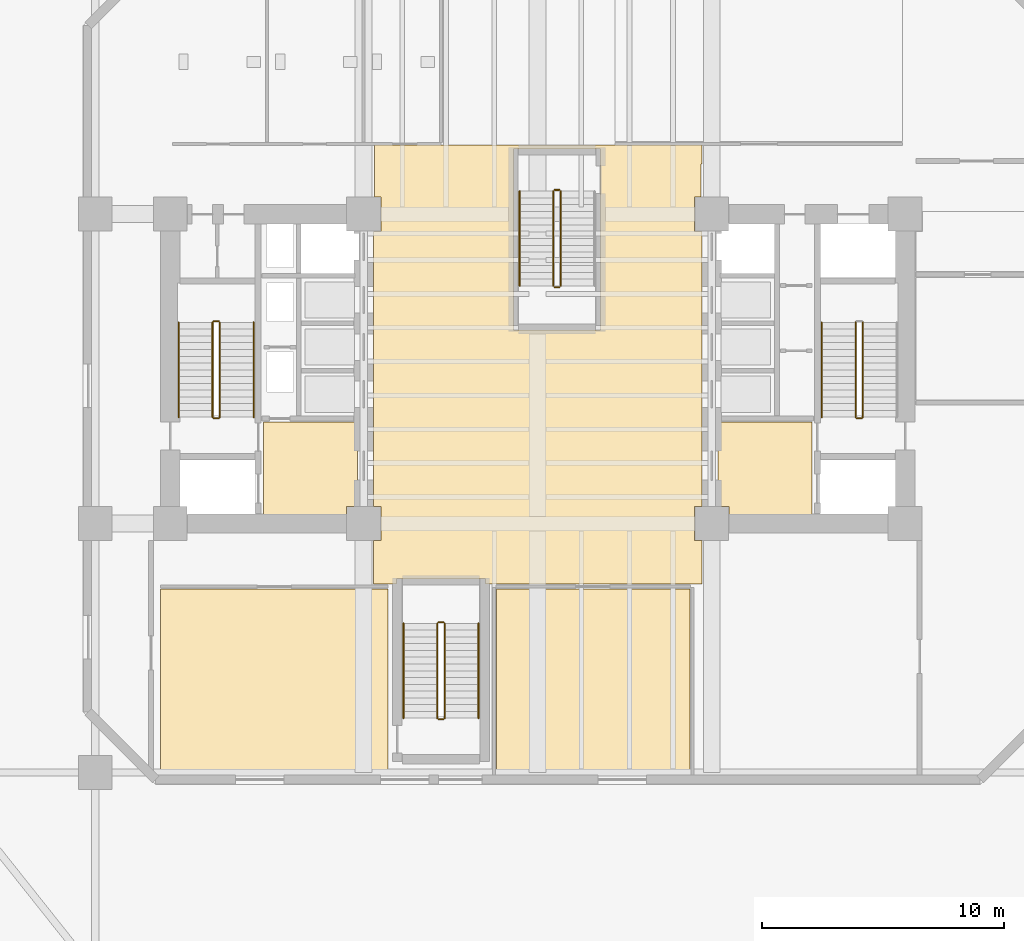
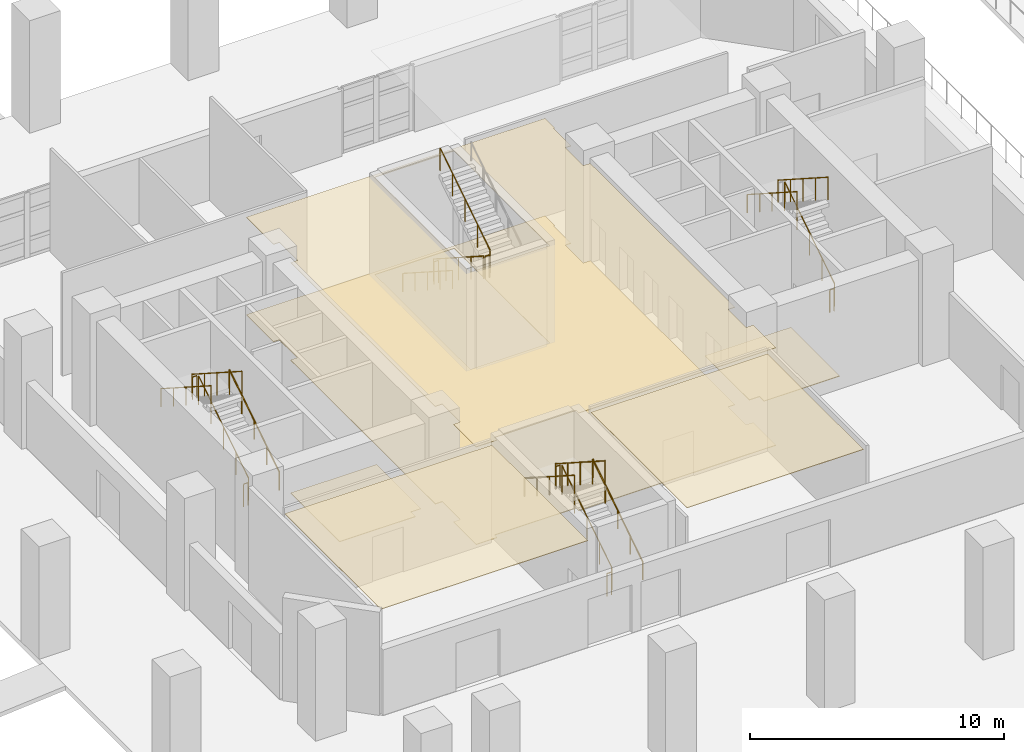
# One storey, part 8 of 12: 21 railings, 6 coverings.
"""IFC4 building model written with IfcOpenShell, lengths in metres."""

from ifc_helpers import new_model, si_unit, direction, frame, origin, origin_2d, place, context, subcontext, project, spatial, polyline, circle, outline, extrude, material, layer, layer_set, type_object, element, save


model = new_model("IFC4")

# Units and contexts
model_context = context("Model", 3, precision=1e-05, world=origin(), true_north=direction((0.0, 1.0)))
body_context = subcontext(model_context, "Body", "Model", "MODEL_VIEW")
ifc_project = project(units=[si_unit("LENGTHUNIT", "METRE"), si_unit("AREAUNIT", "SQUARE_METRE"), si_unit("VOLUMEUNIT", "CUBIC_METRE"), si_unit("PLANEANGLEUNIT", "RADIAN"), si_unit("MASSUNIT", "GRAM", prefix="KILO")], contexts=[model_context])

# Site, building, storey
site_placement = place(None, origin())
site = spatial("IfcSite", under=ifc_project, at=site_placement, CompositionType="ELEMENT")
building_placement = place(site_placement, origin())
building = spatial("IfcBuilding", under=site, at=building_placement, Name="Kranthara Brick Stack", CompositionType="ELEMENT")
storey_placement = place(building_placement, origin())
storey = spatial("IfcBuildingStorey", under=building, at=storey_placement, Name="L00", CompositionType="ELEMENT", Elevation=0.0)

# Coverings
ifc_material_1 = material(Name="Perforated mineral-fibre acoustic ceiling tile", Category="other")
ifc_layer_1 = layer(ifc_material_1, 0.02490234375)
ifc_layer_set_1 = layer_set([ifc_layer_1], Name="Perforated mineral-fibre acoustic ceiling tile")
covering_type_1 = type_object("IfcCoveringType", Name="COV-CEIL-ACOUSTIC", PredefinedType="CEILING", material=ifc_layer_set_1)
covering_1_placement = place(storey_placement, frame((0.0, 0.0, 4.679931640625)))
element("IfcCovering", 1, at=covering_1_placement, inside=storey, type_object=covering_type_1, Name="L00 Concourse Espresso Cafe and Bakery Acoustic Ceiling", PredefinedType="CEILING", context=body_context, shape_type="SweptSolid", body=[
    extrude(outline(polyline([(34.300048828125, 10.550048828125), (34.300048828125, 18.10009765625), (26.300048828125, 18.10009765625), (26.300048828125, 10.550048828125), (34.300048828125, 10.550048828125)])), origin(), (0.0, 0.0, 1.0), 0.025146484375),
])
covering_2_placement = place(storey_placement, frame((0.0, 0.0, 4.679931640625)))
element("IfcCovering", 2, at=covering_2_placement, inside=storey, type_object=covering_type_1, Name="L00 Concourse Design Bookshop Retail Acoustic Ceiling", PredefinedType="CEILING", context=body_context, shape_type="SweptSolid", body=[
    extrude(outline(polyline([(21.800048828125, 10.550048828125), (21.800048828125, 18.10009765625), (12.39990234375, 18.10009765625), (12.39990234375, 10.550048828125), (21.800048828125, 10.550048828125)])), origin(), (0.0, 0.0, 1.0), 0.025146484375),
])
covering_3_placement = place(storey_placement, frame((0.0, 0.0, 4.679931640625)))
element("IfcCovering", 3, at=covering_3_placement, inside=storey, type_object=covering_type_1, Name="L00 Grand Stilts Entrance Hall and Lift Foyer Acoustic Ceiling", PredefinedType="CEILING", context=body_context, shape_type="SweptSolid", body=[
    extrude(outline(polyline([(34.800048828125, 18.300048828125), (25.85009765625, 18.300048828125), (25.85009765625, 18.5), (22.14990234375, 18.5), (22.14990234375, 18.300048828125), (21.199951171875, 18.300048828125), (21.199951171875, 20.090087890625), (21.510009765625, 20.090087890625), (21.510009765625, 21.510009765625), (21.199951171875, 21.510009765625), (21.199951171875, 32.889892578125), (21.510009765625, 32.889892578125), (21.510009765625, 34.31005859375), (21.25, 34.31005859375), (21.25, 36.449951171875), (34.800048828125, 36.449951171875), (34.800048828125, 35.679931640625), (34.75, 35.679931640625), (34.75, 34.31005859375), (34.489990234375, 34.31005859375), (34.489990234375, 32.889892578125), (34.800048828125, 32.889892578125), (34.800048828125, 21.510009765625), (34.489990234375, 21.510009765625), (34.489990234375, 20.090087890625), (34.800048828125, 20.090087890625), (34.800048828125, 18.300048828125)]), holes=[polyline([(27.0, 36.300048828125), (27.0, 28.800048828125), (30.60009765625, 28.800048828125), (30.60009765625, 36.300048828125), (27.0, 36.300048828125)])]), origin(), (0.0, 0.0, 1.0), 0.025146484375),
])
ifc_material_2 = material(Name="Honed terrazzo and porcelain floor finish", Category="stone")
ifc_layer_2 = layer(ifc_material_2, 0.030029296875)
ifc_layer_set_2 = layer_set([ifc_layer_2], Name="Honed terrazzo and porcelain floor finish")
covering_type_2 = type_object("IfcCoveringType", Name="COV-FLOR-STONE", PredefinedType="FLOORING", material=ifc_layer_set_2)
covering_4_placement = place(storey_placement, origin())
element("IfcCovering", 4, at=covering_4_placement, inside=storey, type_object=covering_type_2, Name="L00 Lift Lobby Stone Flooring", PredefinedType="FLOORING", context=body_context, shape_type="SweptSolid", body=[
    extrude(outline(polyline([(16.64990234375, 21.14990234375), (16.64990234375, 25.0), (20.550048828125, 25.0), (20.550048828125, 21.510009765625), (20.090087890625, 21.510009765625), (20.090087890625, 21.14990234375), (16.64990234375, 21.14990234375)])), origin(), (0.0, 0.0, 1.0), 0.030029296875),
])
covering_5_placement = place(storey_placement, origin())
element("IfcCovering", 5, at=covering_5_placement, inside=storey, type_object=covering_type_2, Name="L00 Lift Lobby Stone Flooring", PredefinedType="FLOORING", context=body_context, shape_type="SweptSolid", body=[
    extrude(outline(polyline([(35.449951171875, 25.0), (39.35009765625, 25.0), (39.35009765625, 21.14990234375), (35.909912109375, 21.14990234375), (35.909912109375, 21.510009765625), (35.449951171875, 21.510009765625), (35.449951171875, 25.0)])), origin(), (0.0, 0.0, 1.0), 0.030029296875),
])
covering_6_placement = place(storey_placement, origin())
element("IfcCovering", 6, at=covering_6_placement, inside=storey, type_object=covering_type_2, Name="L00 Lift Lobby Stone Flooring", PredefinedType="FLOORING", context=body_context, shape_type="SweptSolid", body=[
    extrude(outline(polyline([(34.800048828125, 18.300048828125), (25.85009765625, 18.300048828125), (25.85009765625, 18.5), (22.14990234375, 18.5), (22.14990234375, 18.300048828125), (21.199951171875, 18.300048828125), (21.199951171875, 20.090087890625), (21.510009765625, 20.090087890625), (21.510009765625, 21.510009765625), (21.199951171875, 21.510009765625), (21.199951171875, 32.889892578125), (21.510009765625, 32.889892578125), (21.510009765625, 34.31005859375), (21.25, 34.31005859375), (21.25, 36.449951171875), (34.800048828125, 36.449951171875), (34.800048828125, 35.679931640625), (34.75, 35.679931640625), (34.75, 34.31005859375), (34.489990234375, 34.31005859375), (34.489990234375, 32.889892578125), (34.800048828125, 32.889892578125), (34.800048828125, 21.510009765625), (34.489990234375, 21.510009765625), (34.489990234375, 20.090087890625), (34.800048828125, 20.090087890625), (34.800048828125, 18.300048828125)]), holes=[polyline([(27.0, 36.300048828125), (27.0, 28.800048828125), (30.60009765625, 28.800048828125), (30.60009765625, 36.300048828125), (27.0, 36.300048828125)])]), origin(), (0.0, 0.0, 1.0), 0.030029296875),
])

# Railings
ifc_material_3 = material(Name="Painted galvanized steel stair guardrail", Category="steel")
railing_type_1 = type_object("IfcRailingType", Name="RL-STAIR-GUARD-1100", PredefinedType="GUARDRAIL", material=ifc_material_3)
railing_1_placement = place(storey_placement, frame((14.85009765625, 25.199951171875, 0.179931640625)))
element("IfcRailing", 7, at=railing_1_placement, inside=storey, type_object=railing_type_1, Name="L00 ST01 stair guard 1", PredefinedType="GUARDRAIL", context=body_context, shape_type="SweptSolid", body=[
    extrude(circle(Radius=0.02392578125, at=origin_2d()), frame((0.0, 0.0, 1.076171875), z_axis=(0.0, 0.841186985886, 0.540744352514), x_axis=(-1.0, 0.0, 0.0)), (0.0, 0.0, 1.0), 4.660400390625),
    extrude(circle(Radius=0.02099609375, at=origin_2d()), origin(), (0.0, 0.0, 1.0), 1.052001953125),
    extrude(circle(Radius=0.02099609375, at=origin_2d()), frame((0.0, 0.97998046875, 0.6298828125)), (0.0, 0.0, 1.0), 1.052001953125),
    extrude(circle(Radius=0.02099609375, at=origin_2d()), frame((0.0, 1.9599609375, 1.260009765625)), (0.0, 0.0, 1.0), 1.052001953125),
    extrude(circle(Radius=0.02099609375, at=origin_2d()), frame((0.0, 2.940185546875, 1.89013671875)), (0.0, 0.0, 1.0), 1.052001953125),
    extrude(circle(Radius=0.02099609375, at=origin_2d()), frame((0.0, 3.920166015625, 2.52001953125)), (0.0, 0.0, 1.0), 1.052001953125),
])
railing_2_placement = place(storey_placement, frame((14.800048828125, 29.169921875, 2.699951171875)))
element("IfcRailing", 8, at=railing_2_placement, inside=storey, type_object=railing_type_1, Name="L00 ST01 stair guard 2", PredefinedType="GUARDRAIL", context=body_context, shape_type="SweptSolid", body=[
    extrude(circle(Radius=0.02392578125, at=origin_2d()), frame((0.0, 0.0, 1.076171875), z_axis=(-1.0, 0.0, 0.0), x_axis=(0.0, -1.0, 0.0)), (0.0, 0.0, 1.0), 0.199951171875),
    extrude(circle(Radius=0.02099609375, at=origin_2d()), origin(), (0.0, 0.0, 1.0), 1.052001953125),
    extrude(circle(Radius=0.02099609375, at=origin_2d()), frame((-0.199951171875, 0.0, 0.0)), (0.0, 0.0, 1.0), 1.052001953125),
])
railing_3_placement = place(storey_placement, frame((14.550048828125, 29.1201171875, 2.8798828125)))
element("IfcRailing", 9, at=railing_3_placement, inside=storey, type_object=railing_type_1, Name="L00 ST01 stair guard 3", PredefinedType="GUARDRAIL", context=body_context, shape_type="SweptSolid", body=[
    extrude(circle(Radius=0.02392578125, at=origin_2d()), frame((0.0, 0.0, 1.076171875), z_axis=(0.0, -0.841186985886, 0.540744352514), x_axis=(1.0, 0.0, 0.0)), (0.0, 0.0, 1.0), 4.660400390625),
    extrude(circle(Radius=0.02099609375, at=origin_2d()), origin(), (0.0, 0.0, 1.0), 1.052001953125),
    extrude(circle(Radius=0.02099609375, at=origin_2d()), frame((0.0, -0.97998046875, 0.6298828125)), (0.0, 0.0, 1.0), 1.052001953125),
    extrude(circle(Radius=0.02099609375, at=origin_2d()), frame((0.0, -1.9599609375, 1.260009765625)), (0.0, 0.0, 1.0), 1.052001953125),
    extrude(circle(Radius=0.02099609375, at=origin_2d()), frame((0.0, -2.940185546875, 1.89013671875)), (0.0, 0.0, 1.0), 1.052001953125),
    extrude(circle(Radius=0.02099609375, at=origin_2d()), frame((0.0, -3.920166015625, 2.52001953125)), (0.0, 0.0, 1.0), 1.052001953125),
])
railing_4_placement = place(storey_placement, frame((14.800048828125, 25.14990234375, 0.0)))
element("IfcRailing", 10, at=railing_4_placement, inside=storey, type_object=railing_type_1, Name="L00 ST01 stair guard 4", PredefinedType="GUARDRAIL", context=body_context, shape_type="SweptSolid", body=[
    extrude(circle(Radius=0.02392578125, at=origin_2d()), frame((0.0, 0.0, 1.076171875), z_axis=(-1.0, 0.0, 0.0), x_axis=(0.0, -1.0, 0.0)), (0.0, 0.0, 1.0), 0.199951171875),
    extrude(circle(Radius=0.02099609375, at=origin_2d()), origin(), (0.0, 0.0, 1.0), 1.052001953125),
    extrude(circle(Radius=0.02099609375, at=origin_2d()), frame((-0.199951171875, 0.0, 0.0)), (0.0, 0.0, 1.0), 1.052001953125),
])
railing_5_placement = place(storey_placement, frame((41.449951171875, 25.199951171875, 0.179931640625)))
element("IfcRailing", 11, at=railing_5_placement, inside=storey, type_object=railing_type_1, Name="L00 ST02 stair guard 1", PredefinedType="GUARDRAIL", context=body_context, shape_type="SweptSolid", body=[
    extrude(circle(Radius=0.02392578125, at=origin_2d()), frame((0.0, 0.0, 1.076171875), z_axis=(0.0, 0.841186985886, 0.540744352514), x_axis=(-1.0, 0.0, 0.0)), (0.0, 0.0, 1.0), 4.660400390625),
    extrude(circle(Radius=0.02099609375, at=origin_2d()), origin(), (0.0, 0.0, 1.0), 1.052001953125),
    extrude(circle(Radius=0.02099609375, at=origin_2d()), frame((0.0, 0.97998046875, 0.6298828125)), (0.0, 0.0, 1.0), 1.052001953125),
    extrude(circle(Radius=0.02099609375, at=origin_2d()), frame((0.0, 1.9599609375, 1.260009765625)), (0.0, 0.0, 1.0), 1.052001953125),
    extrude(circle(Radius=0.02099609375, at=origin_2d()), frame((0.0, 2.940185546875, 1.89013671875)), (0.0, 0.0, 1.0), 1.052001953125),
    extrude(circle(Radius=0.02099609375, at=origin_2d()), frame((0.0, 3.920166015625, 2.52001953125)), (0.0, 0.0, 1.0), 1.052001953125),
])
railing_6_placement = place(storey_placement, frame((41.14990234375, 29.1201171875, 2.8798828125)))
element("IfcRailing", 12, at=railing_6_placement, inside=storey, type_object=railing_type_1, Name="L00 ST02 stair guard 3", PredefinedType="GUARDRAIL", context=body_context, shape_type="SweptSolid", body=[
    extrude(circle(Radius=0.02392578125, at=origin_2d()), frame((0.0, 0.0, 1.076171875), z_axis=(0.0, -0.841186985886, 0.540744352514), x_axis=(1.0, 0.0, 0.0)), (0.0, 0.0, 1.0), 4.660400390625),
    extrude(circle(Radius=0.02099609375, at=origin_2d()), origin(), (0.0, 0.0, 1.0), 1.052001953125),
    extrude(circle(Radius=0.02099609375, at=origin_2d()), frame((0.0, -0.97998046875, 0.6298828125)), (0.0, 0.0, 1.0), 1.052001953125),
    extrude(circle(Radius=0.02099609375, at=origin_2d()), frame((0.0, -1.9599609375, 1.260009765625)), (0.0, 0.0, 1.0), 1.052001953125),
    extrude(circle(Radius=0.02099609375, at=origin_2d()), frame((0.0, -2.940185546875, 1.89013671875)), (0.0, 0.0, 1.0), 1.052001953125),
    extrude(circle(Radius=0.02099609375, at=origin_2d()), frame((0.0, -3.920166015625, 2.52001953125)), (0.0, 0.0, 1.0), 1.052001953125),
])
railing_7_placement = place(storey_placement, frame((41.39990234375, 25.14990234375, 0.0)))
element("IfcRailing", 13, at=railing_7_placement, inside=storey, type_object=railing_type_1, Name="L00 ST02 stair guard 4", PredefinedType="GUARDRAIL", context=body_context, shape_type="SweptSolid", body=[
    extrude(circle(Radius=0.02392578125, at=origin_2d()), frame((0.0, 0.0, 1.076171875), z_axis=(-1.0, 0.0, 0.0), x_axis=(0.0, -1.0, 0.0)), (0.0, 0.0, 1.0), 0.199951171875),
    extrude(circle(Radius=0.02099609375, at=origin_2d()), origin(), (0.0, 0.0, 1.0), 1.052001953125),
    extrude(circle(Radius=0.02099609375, at=origin_2d()), frame((-0.199951171875, 0.0, 0.0)), (0.0, 0.0, 1.0), 1.052001953125),
])
railing_8_placement = place(storey_placement, frame((24.14990234375, 12.75, 0.179931640625)))
element("IfcRailing", 14, at=railing_8_placement, inside=storey, type_object=railing_type_1, Name="L00 ST03 stair guard 1", PredefinedType="GUARDRAIL", context=body_context, shape_type="SweptSolid", body=[
    extrude(circle(Radius=0.02392578125, at=origin_2d()), frame((0.0, 0.0, 1.076171875), z_axis=(0.0, 0.841171666519, 0.540768182723), x_axis=(-1.0, 0.0, 0.0)), (0.0, 0.0, 1.0), 4.66015625),
    extrude(circle(Radius=0.02099609375, at=origin_2d()), origin(), (0.0, 0.0, 1.0), 1.052001953125),
    extrude(circle(Radius=0.02099609375, at=origin_2d()), frame((0.0, 0.97998046875, 0.6298828125)), (0.0, 0.0, 1.0), 1.052001953125),
    extrude(circle(Radius=0.02099609375, at=origin_2d()), frame((0.0, 1.9599609375, 1.260009765625)), (0.0, 0.0, 1.0), 1.052001953125),
    extrude(circle(Radius=0.02099609375, at=origin_2d()), frame((0.0, 2.93994140625, 1.89013671875)), (0.0, 0.0, 1.0), 1.052001953125),
    extrude(circle(Radius=0.02099609375, at=origin_2d()), frame((0.0, 3.919921875, 2.52001953125)), (0.0, 0.0, 1.0), 1.052001953125),
])
railing_9_placement = place(storey_placement, frame((24.10009765625, 16.719970703125, 2.699951171875)))
element("IfcRailing", 15, at=railing_9_placement, inside=storey, type_object=railing_type_1, Name="L00 ST03 stair guard 2", PredefinedType="GUARDRAIL", context=body_context, shape_type="SweptSolid", body=[
    extrude(circle(Radius=0.02392578125, at=origin_2d()), frame((0.0, 0.0, 1.076171875), z_axis=(-1.0, 0.0, 0.0), x_axis=(0.0, -1.0, 0.0)), (0.0, 0.0, 1.0), 0.2001953125),
    extrude(circle(Radius=0.02099609375, at=origin_2d()), origin(), (0.0, 0.0, 1.0), 1.052001953125),
    extrude(circle(Radius=0.02099609375, at=origin_2d()), frame((-0.2001953125, 0.0, 0.0)), (0.0, 0.0, 1.0), 1.052001953125),
])
railing_10_placement = place(storey_placement, frame((23.85009765625, 16.669921875, 2.8798828125)))
element("IfcRailing", 16, at=railing_10_placement, inside=storey, type_object=railing_type_1, Name="L00 ST03 stair guard 3", PredefinedType="GUARDRAIL", context=body_context, shape_type="SweptSolid", body=[
    extrude(circle(Radius=0.02392578125, at=origin_2d()), frame((0.0, 0.0, 1.076171875), z_axis=(0.0, -0.841171666519, 0.540768182723), x_axis=(1.0, 0.0, 0.0)), (0.0, 0.0, 1.0), 4.66015625),
    extrude(circle(Radius=0.02099609375, at=origin_2d()), origin(), (0.0, 0.0, 1.0), 1.052001953125),
    extrude(circle(Radius=0.02099609375, at=origin_2d()), frame((0.0, -0.97998046875, 0.6298828125)), (0.0, 0.0, 1.0), 1.052001953125),
    extrude(circle(Radius=0.02099609375, at=origin_2d()), frame((0.0, -1.9599609375, 1.260009765625)), (0.0, 0.0, 1.0), 1.052001953125),
    extrude(circle(Radius=0.02099609375, at=origin_2d()), frame((0.0, -2.93994140625, 1.89013671875)), (0.0, 0.0, 1.0), 1.052001953125),
    extrude(circle(Radius=0.02099609375, at=origin_2d()), frame((0.0, -3.919921875, 2.52001953125)), (0.0, 0.0, 1.0), 1.052001953125),
])
railing_11_placement = place(storey_placement, frame((24.10009765625, 12.699951171875, 0.0)))
element("IfcRailing", 17, at=railing_11_placement, inside=storey, type_object=railing_type_1, Name="L00 ST03 stair guard 4", PredefinedType="GUARDRAIL", context=body_context, shape_type="SweptSolid", body=[
    extrude(circle(Radius=0.02392578125, at=origin_2d()), frame((0.0, 0.0, 1.076171875), z_axis=(-1.0, 0.0, 0.0), x_axis=(0.0, -1.0, 0.0)), (0.0, 0.0, 1.0), 0.2001953125),
    extrude(circle(Radius=0.02099609375, at=origin_2d()), origin(), (0.0, 0.0, 1.0), 1.052001953125),
    extrude(circle(Radius=0.02099609375, at=origin_2d()), frame((-0.2001953125, 0.0, 0.0)), (0.0, 0.0, 1.0), 1.052001953125),
])
railing_12_placement = place(storey_placement, frame((28.64990234375, 34.550048828125, 0.179931640625)))
element("IfcRailing", 18, at=railing_12_placement, inside=storey, type_object=railing_type_1, Name="L00 ST04 stair guard 1", PredefinedType="GUARDRAIL", context=body_context, shape_type="SweptSolid", body=[
    extrude(circle(Radius=0.02392578125, at=origin_2d()), frame((0.0, 0.0, 1.076171875), z_axis=(0.0, -0.841186985886, 0.540744352514), x_axis=(1.0, 0.0, 0.0)), (0.0, 0.0, 1.0), 4.660400390625),
    extrude(circle(Radius=0.02099609375, at=origin_2d()), origin(), (0.0, 0.0, 1.0), 1.052001953125),
    extrude(circle(Radius=0.02099609375, at=origin_2d()), frame((0.0, -0.97998046875, 0.6298828125)), (0.0, 0.0, 1.0), 1.052001953125),
    extrude(circle(Radius=0.02099609375, at=origin_2d()), frame((0.0, -1.9599609375, 1.260009765625)), (0.0, 0.0, 1.0), 1.052001953125),
    extrude(circle(Radius=0.02099609375, at=origin_2d()), frame((0.0, -2.940185546875, 1.89013671875)), (0.0, 0.0, 1.0), 1.052001953125),
    extrude(circle(Radius=0.02099609375, at=origin_2d()), frame((0.0, -3.920166015625, 2.52001953125)), (0.0, 0.0, 1.0), 1.052001953125),
])
railing_13_placement = place(storey_placement, frame((28.699951171875, 30.580078125, 2.699951171875)))
element("IfcRailing", 19, at=railing_13_placement, inside=storey, type_object=railing_type_1, Name="L00 ST04 stair guard 2", PredefinedType="GUARDRAIL", context=body_context, shape_type="SweptSolid", body=[
    extrude(circle(Radius=0.02392578125, at=origin_2d()), frame((0.0, 0.0, 1.076171875), z_axis=(1.0, 0.0, 0.0), x_axis=(0.0, 1.0, 0.0)), (0.0, 0.0, 1.0), 0.199951171875),
    extrude(circle(Radius=0.02099609375, at=origin_2d()), origin(), (0.0, 0.0, 1.0), 1.052001953125),
    extrude(circle(Radius=0.02099609375, at=origin_2d()), frame((0.199951171875, 0.0, 0.0)), (0.0, 0.0, 1.0), 1.052001953125),
])
railing_14_placement = place(storey_placement, frame((28.949951171875, 30.6298828125, 2.8798828125)))
element("IfcRailing", 20, at=railing_14_placement, inside=storey, type_object=railing_type_1, Name="L00 ST04 stair guard 3", PredefinedType="GUARDRAIL", context=body_context, shape_type="SweptSolid", body=[
    extrude(circle(Radius=0.02392578125, at=origin_2d()), frame((0.0, 0.0, 1.076171875), z_axis=(0.0, 0.841186985886, 0.540744352514), x_axis=(-1.0, 0.0, 0.0)), (0.0, 0.0, 1.0), 4.660400390625),
    extrude(circle(Radius=0.02099609375, at=origin_2d()), origin(), (0.0, 0.0, 1.0), 1.052001953125),
    extrude(circle(Radius=0.02099609375, at=origin_2d()), frame((0.0, 0.97998046875, 0.6298828125)), (0.0, 0.0, 1.0), 1.052001953125),
    extrude(circle(Radius=0.02099609375, at=origin_2d()), frame((0.0, 1.9599609375, 1.260009765625)), (0.0, 0.0, 1.0), 1.052001953125),
    extrude(circle(Radius=0.02099609375, at=origin_2d()), frame((0.0, 2.940185546875, 1.89013671875)), (0.0, 0.0, 1.0), 1.052001953125),
    extrude(circle(Radius=0.02099609375, at=origin_2d()), frame((0.0, 3.920166015625, 2.52001953125)), (0.0, 0.0, 1.0), 1.052001953125),
])
railing_15_placement = place(storey_placement, frame((28.699951171875, 34.60009765625, 0.0)))
element("IfcRailing", 21, at=railing_15_placement, inside=storey, type_object=railing_type_1, Name="L00 ST04 stair guard 4", PredefinedType="GUARDRAIL", context=body_context, shape_type="SweptSolid", body=[
    extrude(circle(Radius=0.02392578125, at=origin_2d()), frame((0.0, 0.0, 1.076171875), z_axis=(1.0, 0.0, 0.0), x_axis=(0.0, 1.0, 0.0)), (0.0, 0.0, 1.0), 0.199951171875),
    extrude(circle(Radius=0.02099609375, at=origin_2d()), origin(), (0.0, 0.0, 1.0), 1.052001953125),
    extrude(circle(Radius=0.02099609375, at=origin_2d()), frame((0.199951171875, 0.0, 0.0)), (0.0, 0.0, 1.0), 1.052001953125),
])
ifc_material_4 = material(Name="Brushed stainless steel tubular handrail", Category="steel")
railing_type_2 = type_object("IfcRailingType", Name="RL-STAIR-HAND-900", PredefinedType="HANDRAIL", material=ifc_material_4)
railing_16_placement = place(storey_placement, frame((16.25, 25.199951171875, 0.179931640625)))
element("IfcRailing", 22, at=railing_16_placement, inside=storey, type_object=railing_type_2, Name="L00 ST01 stair handrail 1", PredefinedType="HANDRAIL", context=body_context, shape_type="SweptSolid", body=[
    extrude(circle(Radius=0.02392578125, at=origin_2d()), frame((0.0, 0.0, 0.8759765625), z_axis=(0.0, 0.841186985886, 0.540744352514), x_axis=(-1.0, 0.0, 0.0)), (0.0, 0.0, 1.0), 4.660400390625),
    extrude(circle(Radius=0.02099609375, at=origin_2d()), origin(), (0.0, 0.0, 1.0), 0.851806640625),
    extrude(circle(Radius=0.02099609375, at=origin_2d()), frame((0.0, 0.97998046875, 0.6298828125)), (0.0, 0.0, 1.0), 0.851806640625),
    extrude(circle(Radius=0.02099609375, at=origin_2d()), frame((0.0, 1.9599609375, 1.260009765625)), (0.0, 0.0, 1.0), 0.851806640625),
    extrude(circle(Radius=0.02099609375, at=origin_2d()), frame((0.0, 2.940185546875, 1.89013671875)), (0.0, 0.0, 1.0), 0.851806640625),
    extrude(circle(Radius=0.02099609375, at=origin_2d()), frame((0.0, 3.920166015625, 2.52001953125)), (0.0, 0.0, 1.0), 0.851806640625),
])
for number, where, name in (
    (23, (13.14990234375, 29.1201171875, 2.8798828125), "L00 ST01 stair handrail 2"),
    (24, (39.75, 29.1201171875, 2.8798828125), "L00 ST02 stair handrail 2"),
):
    element("IfcRailing", number, at=place(storey_placement, frame(where)), inside=storey, type_object=railing_type_2, Name=name, PredefinedType="HANDRAIL", context=body_context, shape_type="SweptSolid", body=[
        extrude(circle(Radius=0.02392578125, at=origin_2d()), frame((0.0, 0.0, 0.8759765625), z_axis=(0.0, -0.841186985886, 0.540744352514), x_axis=(1.0, 0.0, 0.0)), (0.0, 0.0, 1.0), 4.660400390625),
        extrude(circle(Radius=0.02099609375, at=origin_2d()), origin(), (0.0, 0.0, 1.0), 0.851806640625),
        extrude(circle(Radius=0.02099609375, at=origin_2d()), frame((0.0, -0.97998046875, 0.6298828125)), (0.0, 0.0, 1.0), 0.851806640625),
        extrude(circle(Radius=0.02099609375, at=origin_2d()), frame((0.0, -1.9599609375, 1.260009765625)), (0.0, 0.0, 1.0), 0.851806640625),
        extrude(circle(Radius=0.02099609375, at=origin_2d()), frame((0.0, -2.940185546875, 1.89013671875)), (0.0, 0.0, 1.0), 0.851806640625),
        extrude(circle(Radius=0.02099609375, at=origin_2d()), frame((0.0, -3.920166015625, 2.52001953125)), (0.0, 0.0, 1.0), 0.851806640625),
    ])
railing_17_placement = place(storey_placement, frame((25.550048828125, 12.75, 0.179931640625)))
element("IfcRailing", 25, at=railing_17_placement, inside=storey, type_object=railing_type_2, Name="L00 ST03 stair handrail 1", PredefinedType="HANDRAIL", context=body_context, shape_type="SweptSolid", body=[
    extrude(circle(Radius=0.02392578125, at=origin_2d()), frame((0.0, 0.0, 0.8759765625), z_axis=(0.0, 0.841171666519, 0.540768182723), x_axis=(-1.0, 0.0, 0.0)), (0.0, 0.0, 1.0), 4.66015625),
    extrude(circle(Radius=0.02099609375, at=origin_2d()), origin(), (0.0, 0.0, 1.0), 0.851806640625),
    extrude(circle(Radius=0.02099609375, at=origin_2d()), frame((0.0, 0.97998046875, 0.6298828125)), (0.0, 0.0, 1.0), 0.851806640625),
    extrude(circle(Radius=0.02099609375, at=origin_2d()), frame((0.0, 1.9599609375, 1.260009765625)), (0.0, 0.0, 1.0), 0.851806640625),
    extrude(circle(Radius=0.02099609375, at=origin_2d()), frame((0.0, 2.93994140625, 1.89013671875)), (0.0, 0.0, 1.0), 0.851806640625),
    extrude(circle(Radius=0.02099609375, at=origin_2d()), frame((0.0, 3.919921875, 2.52001953125)), (0.0, 0.0, 1.0), 0.851806640625),
])
railing_18_placement = place(storey_placement, frame((22.449951171875, 16.669921875, 2.8798828125)))
element("IfcRailing", 26, at=railing_18_placement, inside=storey, type_object=railing_type_2, Name="L00 ST03 stair handrail 2", PredefinedType="HANDRAIL", context=body_context, shape_type="SweptSolid", body=[
    extrude(circle(Radius=0.02392578125, at=origin_2d()), frame((0.0, 0.0, 0.8759765625), z_axis=(0.0, -0.841171666519, 0.540768182723), x_axis=(1.0, 0.0, 0.0)), (0.0, 0.0, 1.0), 4.66015625),
    extrude(circle(Radius=0.02099609375, at=origin_2d()), origin(), (0.0, 0.0, 1.0), 0.851806640625),
    extrude(circle(Radius=0.02099609375, at=origin_2d()), frame((0.0, -0.97998046875, 0.6298828125)), (0.0, 0.0, 1.0), 0.851806640625),
    extrude(circle(Radius=0.02099609375, at=origin_2d()), frame((0.0, -1.9599609375, 1.260009765625)), (0.0, 0.0, 1.0), 0.851806640625),
    extrude(circle(Radius=0.02099609375, at=origin_2d()), frame((0.0, -2.93994140625, 1.89013671875)), (0.0, 0.0, 1.0), 0.851806640625),
    extrude(circle(Radius=0.02099609375, at=origin_2d()), frame((0.0, -3.919921875, 2.52001953125)), (0.0, 0.0, 1.0), 0.851806640625),
])
railing_19_placement = place(storey_placement, frame((27.25, 34.550048828125, 0.179931640625)))
element("IfcRailing", 27, at=railing_19_placement, inside=storey, type_object=railing_type_2, Name="L00 ST04 stair handrail 1", PredefinedType="HANDRAIL", context=body_context, shape_type="SweptSolid", body=[
    extrude(circle(Radius=0.02392578125, at=origin_2d()), frame((0.0, 0.0, 0.8759765625), z_axis=(0.0, -0.841186985886, 0.540744352514), x_axis=(1.0, 0.0, 0.0)), (0.0, 0.0, 1.0), 4.660400390625),
    extrude(circle(Radius=0.02099609375, at=origin_2d()), origin(), (0.0, 0.0, 1.0), 0.851806640625),
    extrude(circle(Radius=0.02099609375, at=origin_2d()), frame((0.0, -0.97998046875, 0.6298828125)), (0.0, 0.0, 1.0), 0.851806640625),
    extrude(circle(Radius=0.02099609375, at=origin_2d()), frame((0.0, -1.9599609375, 1.260009765625)), (0.0, 0.0, 1.0), 0.851806640625),
    extrude(circle(Radius=0.02099609375, at=origin_2d()), frame((0.0, -2.940185546875, 1.89013671875)), (0.0, 0.0, 1.0), 0.851806640625),
    extrude(circle(Radius=0.02099609375, at=origin_2d()), frame((0.0, -3.920166015625, 2.52001953125)), (0.0, 0.0, 1.0), 0.851806640625),
])

save(model, "model.ifc")
